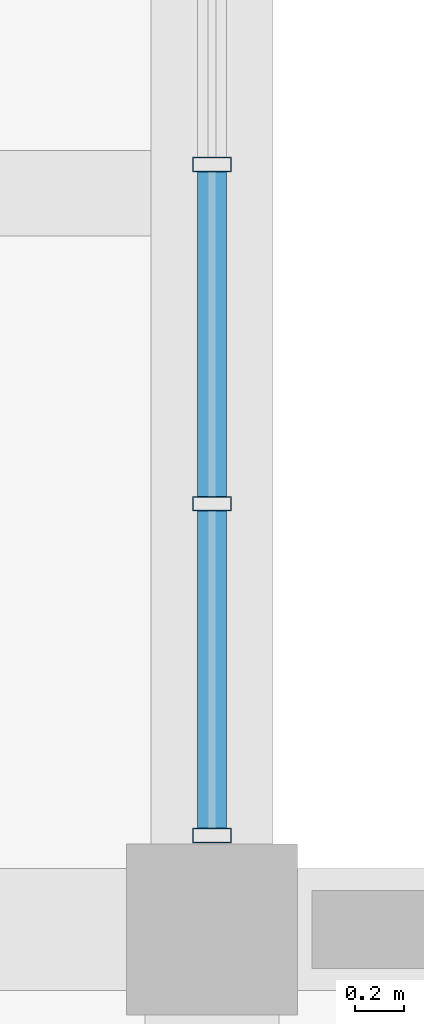
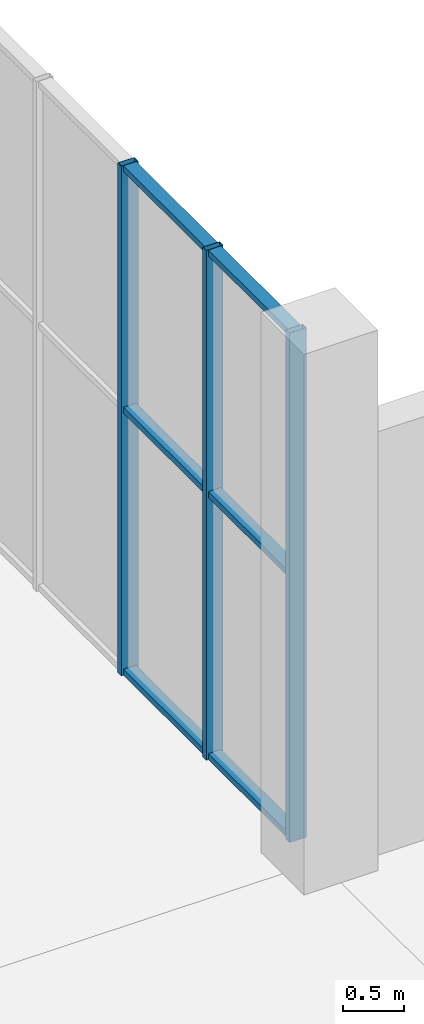
# One storey, part 55 of 91: 9 members, 1 element without a shape of its own.
"""IFC4 building model written with IfcOpenShell, lengths in metres."""

from ifc_helpers import new_model, si_unit, direction, frame, origin, origin_2d, place, context, subcontext, project, spatial, hollow_rectangle, extrude, material, material_profile, profile_set, type_object, element, aggregate, save


model = new_model("IFC4")

# Units and contexts
model_context = context("Model", 3, precision=1e-05, world=origin(), true_north=direction((0.0, 1.0)))
body_context = subcontext(model_context, "Body", "Model", "MODEL_VIEW")
ifc_project = project(units=[si_unit("LENGTHUNIT", "METRE"), si_unit("AREAUNIT", "SQUARE_METRE"), si_unit("VOLUMEUNIT", "CUBIC_METRE"), si_unit("PLANEANGLEUNIT", "RADIAN"), si_unit("MASSUNIT", "GRAM", prefix="KILO")], contexts=[model_context])

# Site, building, storey
site_placement = place(None, origin())
site = spatial("IfcSite", under=ifc_project, at=site_placement, CompositionType="ELEMENT")
building_placement = place(site_placement, origin())
building = spatial("IfcBuilding", under=site, at=building_placement, Name="Khurvash Pelagic Aquarium", CompositionType="ELEMENT")
storey_placement = place(building_placement, origin())
storey = spatial("IfcBuildingStorey", under=building, at=storey_placement, Name="L00", CompositionType="ELEMENT", Elevation=0.0)

# Curtain wall, members
ifc_material_1 = material(Name="Anodised aluminium and low-E laminated glass", Category="aluminium")
curtain_wall_type = type_object("IfcCurtainWallType", Name="CW-05", PredefinedType="USERDEFINED", material=ifc_material_1)
curtain_wall_placement = place(storey_placement, origin())
curtain_wall = element("IfcCurtainWall", 1, at=curtain_wall_placement, inside=storey, type_object=curtain_wall_type, Name="L00 Facade Unitised Curtain Wall CW-05 0061", ObjectType="UNITISED CURTAIN WALL", PredefinedType="USERDEFINED")
ifc_material_2 = material(Name="Extruded aluminium AW-6063-T6", Category="aluminium")
ifc_material_profile_1 = material_profile(ifc_material_2, hollow_rectangle(XDim=0.06005859375, YDim=0.159912109375, WallThickness=0.00390625, at=origin_2d()), Name="CWM60X160X4")
ifc_profile_set_1 = profile_set([ifc_material_profile_1], Name="Extruded aluminium AW-6063-T6")
member_type_1 = type_object("IfcMemberType", Name="CM-02", PredefinedType="MULLION", material=ifc_profile_set_1)
member_1_placement = place(storey_placement, frame((126.0, 84.43505859375, 0.0), z_axis=(0.0, 0.0, 1.0), x_axis=(0.0, 1.0, 0.0)))
member_1 = element("IfcMember", 2, at=member_1_placement, type_object=member_type_1, Name="CW-05 mullion 1", PredefinedType="MULLION", context=body_context, shape_type="SweptSolid", body=[
    extrude(hollow_rectangle(XDim=0.06005859375, YDim=0.159912109375, WallThickness=0.00390625, at=origin_2d()), origin(), (0.0, 0.0, 1.0), 5.090087890625),
])
member_2_placement = place(storey_placement, frame((126.0, 85.794921875, 0.0), z_axis=(0.0, 0.0, 1.0), x_axis=(0.0, 1.0, 0.0)))
member_2 = element("IfcMember", 3, at=member_2_placement, type_object=member_type_1, Name="CW-05 mullion 2", PredefinedType="MULLION", context=body_context, shape_type="SweptSolid", body=[
    extrude(hollow_rectangle(XDim=0.06005859375, YDim=0.159912109375, WallThickness=0.00390625, at=origin_2d()), origin(), (0.0, 0.0, 1.0), 5.090087890625),
])
member_3_placement = place(storey_placement, frame((126.0, 87.18505859375, 0.0), z_axis=(0.0, 0.0, 1.0), x_axis=(0.0, 1.0, 0.0)))
member_3 = element("IfcMember", 4, at=member_3_placement, type_object=member_type_1, Name="CW-05 mullion 3", PredefinedType="MULLION", context=body_context, shape_type="SweptSolid", body=[
    extrude(hollow_rectangle(XDim=0.06005859375, YDim=0.159912109375, WallThickness=0.00390625, at=origin_2d()), origin(), (0.0, 0.0, 1.0), 5.090087890625),
])
ifc_material_profile_2 = material_profile(ifc_material_2, hollow_rectangle(XDim=0.1201171875, YDim=0.06005859375, WallThickness=0.00390625, at=origin_2d()), Name="CWT120X60X4")
ifc_profile_set_2 = profile_set([ifc_material_profile_2], Name="Extruded aluminium AW-6063-T6")
member_type_2 = type_object("IfcMemberType", Name="CT-02", PredefinedType="USERDEFINED", material=ifc_profile_set_2)
member_4_placement = place(storey_placement, frame((126.0, 84.465087890625, 0.030029296875), z_axis=(0.0, 1.0, 0.0), x_axis=(-1.0, 0.0, 0.0)))
member_4 = element("IfcMember", 5, at=member_4_placement, type_object=member_type_2, Name="CW-05 transom 1.1", ObjectType="TRANSOM", PredefinedType="USERDEFINED", context=body_context, shape_type="SweptSolid", body=[
    extrude(hollow_rectangle(XDim=0.1201171875, YDim=0.06005859375, WallThickness=0.00390625, at=origin_2d()), origin(), (0.0, 0.0, 1.0), 1.2998046875),
])
member_5_placement = place(storey_placement, frame((126.0, 84.465087890625, 2.64697265625), z_axis=(0.0, 1.0, 0.0), x_axis=(-1.0, 0.0, 0.0)))
member_5 = element("IfcMember", 6, at=member_5_placement, type_object=member_type_2, Name="CW-05 transom 1.2", ObjectType="TRANSOM", PredefinedType="USERDEFINED", context=body_context, shape_type="SweptSolid", body=[
    extrude(hollow_rectangle(XDim=0.1201171875, YDim=0.06005859375, WallThickness=0.00390625, at=origin_2d()), origin(), (0.0, 0.0, 1.0), 1.2998046875),
])
member_6_placement = place(storey_placement, frame((126.0, 84.465087890625, 5.06005859375), z_axis=(0.0, 1.0, 0.0), x_axis=(-1.0, 0.0, 0.0)))
member_6 = element("IfcMember", 7, at=member_6_placement, type_object=member_type_2, Name="CW-05 transom 1.3", ObjectType="TRANSOM", PredefinedType="USERDEFINED", context=body_context, shape_type="SweptSolid", body=[
    extrude(hollow_rectangle(XDim=0.1201171875, YDim=0.06005859375, WallThickness=0.00390625, at=origin_2d()), origin(), (0.0, 0.0, 1.0), 1.2998046875),
])
member_7_placement = place(storey_placement, frame((126.0, 85.824951171875, 0.030029296875), z_axis=(0.0, 1.0, 0.0), x_axis=(-1.0, 0.0, 0.0)))
member_7 = element("IfcMember", 8, at=member_7_placement, type_object=member_type_2, Name="CW-05 transom 2.1", ObjectType="TRANSOM", PredefinedType="USERDEFINED", context=body_context, shape_type="SweptSolid", body=[
    extrude(hollow_rectangle(XDim=0.1201171875, YDim=0.06005859375, WallThickness=0.00390625, at=origin_2d()), origin(), (0.0, 0.0, 1.0), 1.330078125),
])
member_8_placement = place(storey_placement, frame((126.0, 85.824951171875, 2.64697265625), z_axis=(0.0, 1.0, 0.0), x_axis=(-1.0, 0.0, 0.0)))
member_8 = element("IfcMember", 9, at=member_8_placement, type_object=member_type_2, Name="CW-05 transom 2.2", ObjectType="TRANSOM", PredefinedType="USERDEFINED", context=body_context, shape_type="SweptSolid", body=[
    extrude(hollow_rectangle(XDim=0.1201171875, YDim=0.06005859375, WallThickness=0.00390625, at=origin_2d()), origin(), (0.0, 0.0, 1.0), 1.330078125),
])
member_9_placement = place(storey_placement, frame((126.0, 85.824951171875, 5.06005859375), z_axis=(0.0, 1.0, 0.0), x_axis=(-1.0, 0.0, 0.0)))
member_9 = element("IfcMember", 10, at=member_9_placement, type_object=member_type_2, Name="CW-05 transom 2.3", ObjectType="TRANSOM", PredefinedType="USERDEFINED", context=body_context, shape_type="SweptSolid", body=[
    extrude(hollow_rectangle(XDim=0.1201171875, YDim=0.06005859375, WallThickness=0.00390625, at=origin_2d()), origin(), (0.0, 0.0, 1.0), 1.330078125),
])
aggregate(curtain_wall, [member_1, member_2, member_3, member_4, member_5, member_6, member_7, member_8, member_9])

save(model, "model.ifc")
